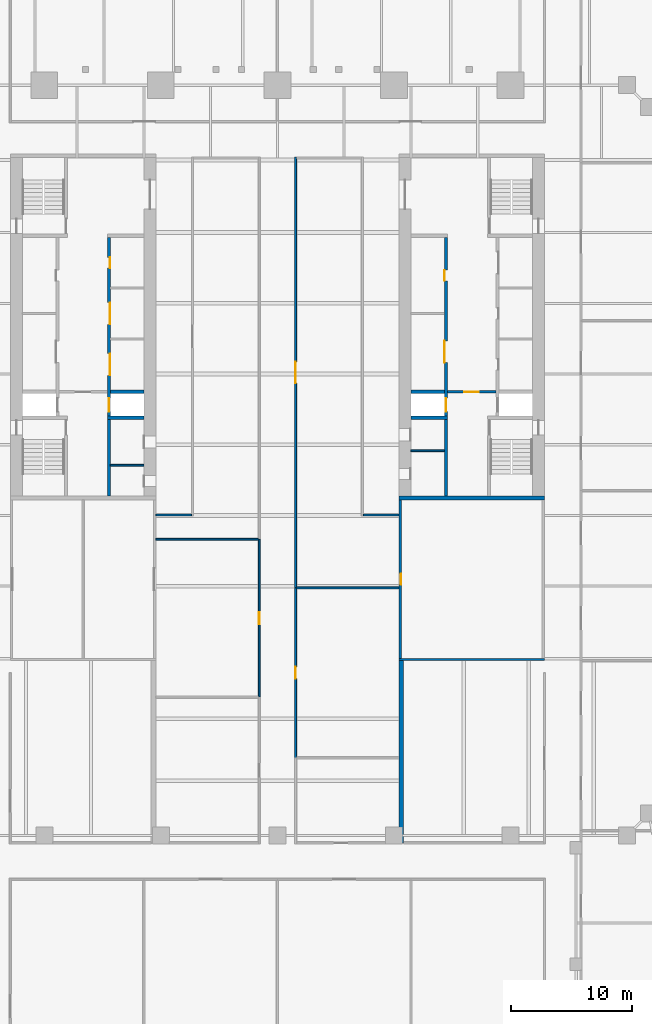
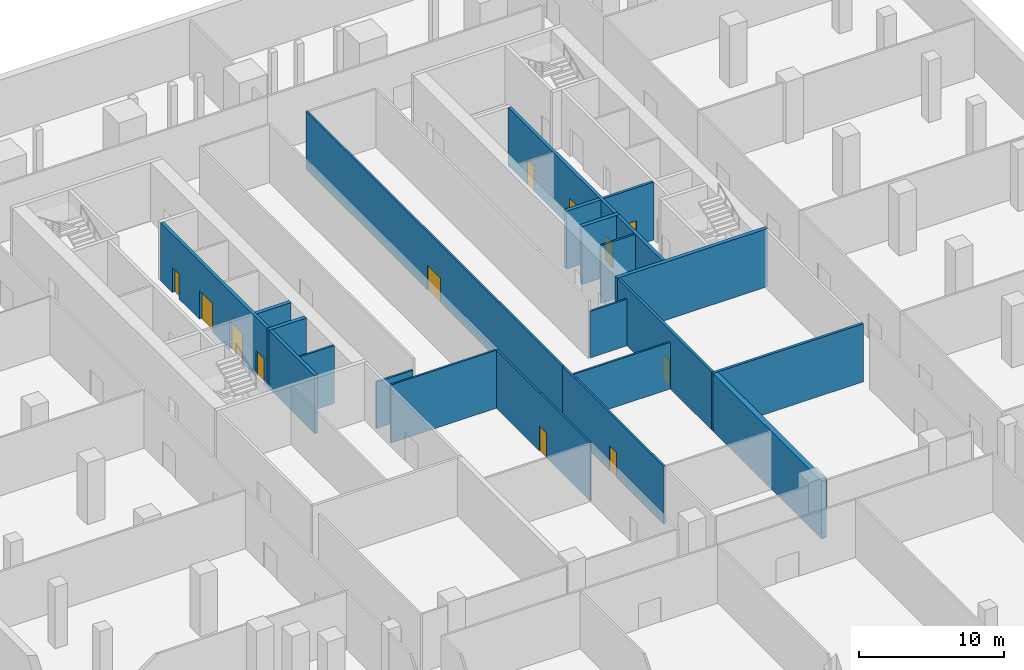
# One storey, part 9 of 15: 20 walls, 12 doors, 12 openings.
"""IFC4 building model written with IfcOpenShell, lengths in metres."""

from ifc_helpers import new_model, si_unit, direction, frame, frame_2d, origin, place, context, subcontext, project, spatial, rectangle, extrude, material, layer, layer_set, type_object, element, fill, save


model = new_model("IFC4")

# Units and contexts
model_context = context("Model", 3, precision=1e-05, world=origin(), true_north=direction((0.0, 1.0)))
body_context = subcontext(model_context, "Body", "Model", "MODEL_VIEW")
ifc_project = project(units=[si_unit("LENGTHUNIT", "METRE"), si_unit("AREAUNIT", "SQUARE_METRE"), si_unit("VOLUMEUNIT", "CUBIC_METRE"), si_unit("PLANEANGLEUNIT", "RADIAN"), si_unit("MASSUNIT", "GRAM", prefix="KILO")], contexts=[model_context])

# Site, building, storey
site_placement = place(None, origin())
site = spatial("IfcSite", under=ifc_project, at=site_placement, CompositionType="ELEMENT")
building_placement = place(site_placement, origin())
building = spatial("IfcBuilding", under=site, at=building_placement, Name="Ogive Exchange Tower", CompositionType="ELEMENT")
storey_placement = place(building_placement, frame((0.0, 0.0, -5.199951171875)))
storey = spatial("IfcBuildingStorey", under=building, at=storey_placement, Name="B1", CompositionType="ELEMENT", Elevation=-5.199951171875)

# Walls
ifc_material_1 = material(Name="Concrete C70/85", Category="concrete")
ifc_layer_1 = layer(ifc_material_1, 0.39990234375)
ifc_layer_set_1 = layer_set([ifc_layer_1], Name="Concrete C70/85 spine wall 400")
wall_type_1 = type_object("IfcWallType", Name="Concrete C70/85 spine wall 400", PredefinedType="SHEAR", material=ifc_layer_set_1)
wall_1_placement = place(storey_placement, frame((10.199951171875, -31.0, 0.0), z_axis=(0.0, 0.0, 1.0), x_axis=(0.0, 1.0, 0.0)))
element("IfcWall", 1, at=wall_1_placement, inside=storey, type_object=wall_type_1, Name="Spine wall SE", PredefinedType="SHEAR", context=body_context, shape_type="SweptSolid", body=[
    extrude(rectangle(XDim=15.0, YDim=0.39990234375, at=frame_2d((7.5, 0.0))), origin(), (0.0, 0.0, 1.0), 4.89990234375),
])
ifc_material_2 = material(Name="Gypsum board partition")
ifc_layer_2 = layer(ifc_material_2, 0.14990234375)
ifc_layer_set_2 = layer_set([ifc_layer_2], Name="Core room partition 150 gypsum")
wall_type_2 = type_object("IfcWallType", Name="Core room partition 150 gypsum", PredefinedType="PARTITIONING", material=ifc_layer_set_2)
for number, where, z_axis, x_axis, name in (
    (2, (-13.75, 0.10009765625, 0.0), (0.0, 0.0, 1.0), (1.0, 0.0, 0.0), "W south room partition"),
    (3, (11.0, 1.300048828125, 0.0), (0.0, 0.0, 1.0), (1.0, 0.0, 0.0), "E south room partition"),
):
    element("IfcWall", number, at=place(storey_placement, frame(where, z_axis=z_axis, x_axis=x_axis)), inside=storey, type_object=wall_type_2, Name=name, PredefinedType="PARTITIONING", context=body_context, shape_type="SweptSolid", body=[
        extrude(rectangle(XDim=2.75, YDim=0.14990234375, at=frame_2d((1.375, 0.0))), origin(), (0.0, 0.0, 1.0), 4.89990234375),
    ])
ifc_material_3 = material(Name="Fire partition EI 60 150")
ifc_layer_3 = layer(ifc_material_3, 0.14990234375)
ifc_layer_set_3 = layer_set([ifc_layer_3], Name="Fire partition EI 60 150")
wall_type_3 = type_object("IfcWallType", Name="Fire partition EI 60 150", PredefinedType="PARTITIONING", material=ifc_layer_set_3)
wall_2_placement = place(storey_placement, frame((1.574951171875, -10.0, 0.0), z_axis=(0.0, 0.0, 1.0), x_axis=(1.0, 0.0, 0.0)))
element("IfcWall", 4, at=wall_2_placement, inside=storey, type_object=wall_type_3, Name="B1-PWL-022", PredefinedType="PARTITIONING", context=body_context, shape_type="SweptSolid", body=[
    extrude(rectangle(XDim=8.425048828125, YDim=0.14990234375, at=frame_2d((4.21240234375, 0.0))), origin(), (0.0, 0.0, 1.0), 3.929931640625),
])
wall_3_placement = place(storey_placement, frame((-10.0, -6.0, 0.0), z_axis=(0.0, 0.0, 1.0), x_axis=(1.0, 0.0, 0.0)))
element("IfcWall", 5, at=wall_3_placement, inside=storey, type_object=wall_type_3, Name="B1-PWL-023", PredefinedType="PARTITIONING", context=body_context, shape_type="SweptSolid", body=[
    extrude(rectangle(XDim=8.425048828125, YDim=0.14990234375, at=frame_2d((4.21240234375, 0.0))), origin(), (0.0, 0.0, 1.0), 4.89990234375),
])
for number, where, z_axis, x_axis, name in (
    (6, (-10.0, -4.0, 0.0), (0.0, 0.0, 1.0), (1.0, 0.0, 0.0), "B1-PWL-024"),
    (7, (7.074951171875, -4.0, 0.0), (0.0, 0.0, 1.0), (1.0, 0.0, 0.0), "B1-PWL-025"),
):
    element("IfcWall", number, at=place(storey_placement, frame(where, z_axis=z_axis, x_axis=x_axis)), inside=storey, type_object=wall_type_3, Name=name, PredefinedType="PARTITIONING", context=body_context, shape_type="SweptSolid", body=[
        extrude(rectangle(XDim=2.925048828125, YDim=0.14990234375, at=frame_2d((1.46240234375, 0.0))), origin(), (0.0, 0.0, 1.0), 3.929931640625),
    ])

# Wall, opening, door
wall_4_placement = place(storey_placement, frame((-1.5, -19.0, 0.0), z_axis=(0.0, 0.0, 1.0), x_axis=(0.0, 1.0, 0.0)))
wall_4 = element("IfcWall", 8, at=wall_4_placement, inside=storey, type_object=wall_type_3, Name="B1-PWL-055", PredefinedType="PARTITIONING", context=body_context, shape_type="SweptSolid", body=[
    extrude(rectangle(XDim=13.0, YDim=0.14990234375, at=frame_2d((6.5, 0.0))), origin(), (0.0, 0.0, 1.0), 4.89990234375),
])
opening_1_placement = place(wall_4_placement, frame((6.0, 0.0, 0.0)))
opening_1 = element("IfcOpeningElement", 9, at=opening_1_placement, cuts=wall_4, Name="Opening B1-I22", PredefinedType="OPENING", context=body_context, shape_type="SweptSolid", body=[
    extrude(rectangle(XDim=1.0, YDim=2.10009765625, at=frame_2d((0.5, 1.050048828125))), frame((0.0, 0.0849609375, 0.0), z_axis=(0.0, -1.0, 0.0), x_axis=(1.0, 0.0, 0.0)), (0.0, 0.0, 1.0), 0.169921875),
])
ifc_material_4 = material(Name="Fire door FD 30S 1000 x 2100")
door_type_1 = type_object("IfcDoorType", Name="Fire door FD 30S 1000 x 2100", OperationType="NOTDEFINED", PredefinedType="DOOR", material=ifc_material_4)
door_1_placement = place(opening_1_placement, origin())
door_1 = element("IfcDoor", 10, at=door_1_placement, inside=storey, type_object=door_type_1, Name="B1-IDR-022", ObjectType="DT3", OperationType="SINGLE_SWING_LEFT", OverallHeight=2.10009765625, OverallWidth=1.0, PredefinedType="DOOR", context=body_context, shape_type="SweptSolid", body=[
    extrude(rectangle(XDim=1.0, YDim=2.10009765625, at=frame_2d((0.5, 1.050048828125))), frame((0.0, 0.02490234375, 0.0), z_axis=(0.0, -1.0, 0.0), x_axis=(1.0, 0.0, 0.0)), (0.0, 0.0, 1.0), 0.050048828125),
])
fill(opening_1, door_1)

wall_5_placement = place(storey_placement, frame((1.5, -24.0, 0.0), z_axis=(0.0, 0.0, 1.0), x_axis=(0.0, 1.0, 0.0)))
wall_5 = element("IfcWall", 11, at=wall_5_placement, inside=storey, type_object=wall_type_3, Name="B1-PWL-062", PredefinedType="PARTITIONING", context=body_context, shape_type="SweptSolid", body=[
    extrude(rectangle(XDim=14.0, YDim=0.14990234375, at=frame_2d((7.0, 0.0))), origin(), (0.0, 0.0, 1.0), 4.89990234375),
])
opening_2_placement = place(wall_5_placement, frame((6.5, 0.0, 0.0)))
opening_2 = element("IfcOpeningElement", 12, at=opening_2_placement, cuts=wall_5, Name="Opening B1-I25", PredefinedType="OPENING", context=body_context, shape_type="SweptSolid", body=[
    extrude(rectangle(XDim=1.0, YDim=2.10009765625, at=frame_2d((0.5, 1.050048828125))), frame((0.0, 0.0849609375, 0.0), z_axis=(0.0, -1.0, 0.0), x_axis=(1.0, 0.0, 0.0)), (0.0, 0.0, 1.0), 0.169921875),
])
door_2_placement = place(opening_2_placement, frame((1.0, 0.0, 0.0), z_axis=(0.0, 0.0, 1.0), x_axis=(-1.0, 0.0, 0.0)))
door_2 = element("IfcDoor", 13, at=door_2_placement, inside=storey, type_object=door_type_1, Name="B1-IDR-025", ObjectType="DT3", OperationType="SINGLE_SWING_LEFT", OverallHeight=2.10009765625, OverallWidth=1.0, PredefinedType="DOOR", context=body_context, shape_type="SweptSolid", body=[
    extrude(rectangle(XDim=1.0, YDim=2.10009765625, at=frame_2d((0.5, 1.050048828125))), frame((0.0, 0.02490234375, 0.0), z_axis=(0.0, -1.0, 0.0), x_axis=(1.0, 0.0, 0.0)), (0.0, 0.0, 1.0), 0.050048828125),
])
fill(opening_2, door_2)

wall_6_placement = place(storey_placement, frame((1.5, -10.0, 0.0), z_axis=(0.0, 0.0, 1.0), x_axis=(0.0, 1.0, 0.0)))
wall_6 = element("IfcWall", 14, at=wall_6_placement, inside=storey, type_object=wall_type_3, Name="B1-PWL-063", PredefinedType="PARTITIONING", context=body_context, shape_type="SweptSolid", body=[
    extrude(rectangle(XDim=35.47509765625, YDim=0.14990234375, at=frame_2d((17.737548828125, 0.0))), origin(), (0.0, 0.0, 1.0), 4.89990234375),
])
opening_3_placement = place(wall_6_placement, frame((16.83740234375, 0.0, 0.0)))
opening_3 = element("IfcOpeningElement", 15, at=opening_3_placement, cuts=wall_6, Name="Opening B1-I26", PredefinedType="OPENING", context=body_context, shape_type="SweptSolid", body=[
    extrude(rectangle(XDim=1.800048828125, YDim=2.10009765625, at=frame_2d((0.89990234375, 1.050048828125))), frame((0.0, 0.0849609375, 0.0), z_axis=(0.0, -1.0, 0.0), x_axis=(1.0, 0.0, 0.0)), (0.0, 0.0, 1.0), 0.169921875),
])
ifc_material_5 = material(Name="Fire door FD 30S 1800 x 2100")
door_type_2 = type_object("IfcDoorType", Name="Fire door FD 30S 1800 x 2100", OperationType="DOUBLE_DOOR_SINGLE_SWING", PredefinedType="DOOR", material=ifc_material_5)
door_3_placement = place(opening_3_placement, frame((1.800048828125, 0.0, 0.0), z_axis=(0.0, 0.0, 1.0), x_axis=(-1.0, 0.0, 0.0)))
door_3 = element("IfcDoor", 16, at=door_3_placement, inside=storey, type_object=door_type_2, Name="B1-IDR-026", ObjectType="DT4", OperationType="SINGLE_SWING_LEFT", OverallHeight=2.10009765625, OverallWidth=1.800048828125, PredefinedType="DOOR", context=body_context, shape_type="SweptSolid", body=[
    extrude(rectangle(XDim=1.800048828125, YDim=2.10009765625, at=frame_2d((0.89990234375, 1.050048828125))), frame((0.0, 0.02490234375, 0.0), z_axis=(0.0, -1.0, 0.0), x_axis=(1.0, 0.0, 0.0)), (0.0, 0.0, 1.0), 0.050048828125),
])
fill(opening_3, door_3)

ifc_layer_4 = layer(ifc_material_1, 0.199951171875)
ifc_layer_set_4 = layer_set([ifc_layer_4], Name="RC core wall 200 C70/85")
wall_type_4 = type_object("IfcWallType", Name="RC core wall 200 C70/85", PredefinedType="SHEAR", material=ifc_layer_set_4)
wall_7_placement = place(storey_placement, frame((14.0, 6.142822265625, 0.0), z_axis=(0.0, 0.0, 1.0), x_axis=(1.0, 0.0, 0.0)))
wall_7 = element("IfcWall", 17, at=wall_7_placement, inside=storey, type_object=wall_type_4, Name="E firefighting lobby wall", PredefinedType="SHEAR", context=body_context, shape_type="SweptSolid", body=[
    extrude(rectangle(XDim=4.0, YDim=0.199951171875, at=frame_2d((2.0, 0.0))), origin(), (0.0, 0.0, 1.0), 4.89990234375),
])
opening_4_placement = place(wall_7_placement, frame((1.39990234375, 0.0, 0.0)))
opening_4 = element("IfcOpeningElement", 18, at=opening_4_placement, cuts=wall_7, Name="Opening B1-C25", PredefinedType="OPENING", context=body_context, shape_type="SweptSolid", body=[
    extrude(rectangle(XDim=1.199951171875, YDim=2.10009765625, at=frame_2d((0.60009765625, 1.050048828125))), frame((0.0, 0.10986328125, 0.0), z_axis=(0.0, -1.0, 0.0), x_axis=(1.0, 0.0, 0.0)), (0.0, 0.0, 1.0), 0.219970703125),
])
ifc_material_6 = material(Name="Steel fire door", Category="steel")
door_type_3 = type_object("IfcDoorType", Name="Firefighting lobby door FD60 1200 x 2100", OperationType="NOTDEFINED", PredefinedType="DOOR", material=ifc_material_6)
door_4_placement = place(opening_4_placement, frame((1.199951171875, 0.0, 0.0), z_axis=(0.0, 0.0, 1.0), x_axis=(-1.0, 0.0, 0.0)))
door_4 = element("IfcDoor", 19, at=door_4_placement, inside=storey, type_object=door_type_3, Name="Firefighting lobby door", ObjectType="CD3", OperationType="SINGLE_SWING_LEFT", OverallHeight=2.10009765625, OverallWidth=1.199951171875, PredefinedType="DOOR", context=body_context, shape_type="SweptSolid", body=[
    extrude(rectangle(XDim=1.199951171875, YDim=2.10009765625, at=frame_2d((0.60009765625, 1.050048828125))), frame((0.0, 0.02490234375, 0.0), z_axis=(0.0, -1.0, 0.0), x_axis=(1.0, 0.0, 0.0)), (0.0, 0.0, 1.0), 0.050048828125),
])
fill(opening_4, door_4)

wall_8_placement = place(storey_placement, frame((10.10009765625, -15.800048828125, 0.0), z_axis=(0.0, 0.0, 1.0), x_axis=(0.0, 1.0, 0.0)))
wall_8 = element("IfcWall", 20, at=wall_8_placement, inside=storey, type_object=wall_type_4, Name="E annex S inner wall", PredefinedType="SHEAR", context=body_context, shape_type="SweptSolid", body=[
    extrude(rectangle(XDim=13.050048828125, YDim=0.199951171875, at=frame_2d((6.52490234375, 0.0))), origin(), (0.0, 0.0, 1.0), 4.89990234375),
])
opening_5_placement = place(wall_8_placement, frame((6.074951171875, 0.0, 0.0)))
opening_5 = element("IfcOpeningElement", 21, at=opening_5_placement, cuts=wall_8, Name="Opening B1-C33", PredefinedType="OPENING", context=body_context, shape_type="SweptSolid", body=[
    extrude(rectangle(XDim=0.89990234375, YDim=2.10009765625, at=frame_2d((0.449951171875, 1.050048828125))), frame((0.0, 0.10986328125, 0.0), z_axis=(0.0, -1.0, 0.0), x_axis=(1.0, 0.0, 0.0)), (0.0, 0.0, 1.0), 0.219970703125),
])
door_type_4 = type_object("IfcDoorType", Name="Riser door FD60 900 x 2100", OperationType="NOTDEFINED", PredefinedType="DOOR", material=ifc_material_6)
door_5_placement = place(opening_5_placement, frame((0.89990234375, -0.14990234375, 0.0), z_axis=(0.0, 0.0, 1.0), x_axis=(-1.0, 0.0, 0.0)))
door_5 = element("IfcDoor", 22, at=door_5_placement, inside=storey, type_object=door_type_4, Name="Riser door", ObjectType="CD2", OperationType="SINGLE_SWING_LEFT", OverallHeight=2.10009765625, OverallWidth=0.89990234375, PredefinedType="DOOR", context=body_context, shape_type="SweptSolid", body=[
    extrude(rectangle(XDim=0.89990234375, YDim=2.10009765625, at=frame_2d((0.449951171875, 1.050048828125))), frame((0.0, -0.0498046875, 0.0), z_axis=(0.0, -1.0, 0.0), x_axis=(1.0, 0.0, 0.0)), (0.0, 0.0, 1.0), 0.050048828125),
])
fill(opening_5, door_5)

# Wall
wall_9_placement = place(storey_placement, frame((10.0, -15.89990234375, 0.0), z_axis=(0.0, 0.0, 1.0), x_axis=(1.0, 0.0, 0.0)))
element("IfcWall", 23, at=wall_9_placement, inside=storey, type_object=wall_type_4, Name="E annex S end wall", PredefinedType="SHEAR", context=body_context, shape_type="SweptSolid", body=[
    extrude(rectangle(XDim=12.0, YDim=0.199951171875, at=frame_2d((6.0, 0.0))), origin(), (0.0, 0.0, 1.0), 4.89990234375),
])

# Wall, openings, doors
ifc_layer_5 = layer(ifc_material_1, 0.25)
ifc_layer_set_5 = layer_set([ifc_layer_5], Name="RC core wall 250 C70/85")
wall_type_5 = type_object("IfcWallType", Name="RC core wall 250 C70/85", PredefinedType="SHEAR", material=ifc_layer_set_5)
wall_10_placement = place(storey_placement, frame((-13.875, -2.449951171875, 0.0), z_axis=(0.0, 0.0, 1.0), x_axis=(0.0, 1.0, 0.0)))
wall_10 = element("IfcWall", 24, at=wall_10_placement, inside=storey, type_object=wall_type_5, Name="W row B front wall", PredefinedType="SHEAR", context=body_context, shape_type="SweptSolid", body=[
    extrude(rectangle(XDim=21.300048828125, YDim=0.25, at=frame_2d((10.64990234375, 0.0))), origin(), (0.0, 0.0, 1.0), 4.89990234375),
])
opening_6_placement = place(wall_10_placement, frame((9.9462890625, 0.0, 0.0)))
opening_6 = element("IfcOpeningElement", 25, at=opening_6_placement, cuts=wall_10, Name="Opening B1-C04", PredefinedType="OPENING", context=body_context, shape_type="SweptSolid", body=[
    extrude(rectangle(XDim=1.800048828125, YDim=2.39990234375, at=frame_2d((0.89990234375, 1.199951171875))), frame((0.0, 0.135009765625, 0.0), z_axis=(0.0, -1.0, 0.0), x_axis=(1.0, 0.0, 0.0)), (0.0, 0.0, 1.0), 0.27001953125),
])
opening_7_placement = place(wall_10_placement, frame((14.14990234375, 0.0, 0.0)))
opening_7 = element("IfcOpeningElement", 26, at=opening_7_placement, cuts=wall_10, Name="Opening B1-C05", PredefinedType="OPENING", context=body_context, shape_type="SweptSolid", body=[
    extrude(rectangle(XDim=1.800048828125, YDim=2.39990234375, at=frame_2d((0.89990234375, 1.199951171875))), frame((0.0, 0.135009765625, 0.0), z_axis=(0.0, -1.0, 0.0), x_axis=(1.0, 0.0, 0.0)), (0.0, 0.0, 1.0), 0.27001953125),
])
opening_8_placement = place(wall_10_placement, frame((18.77490234375, 0.0, 0.0)))
opening_8 = element("IfcOpeningElement", 27, at=opening_8_placement, cuts=wall_10, Name="Opening B1-C06", PredefinedType="OPENING", context=body_context, shape_type="SweptSolid", body=[
    extrude(rectangle(XDim=0.89990234375, YDim=2.10009765625, at=frame_2d((0.449951171875, 1.050048828125))), frame((0.0, 0.135009765625, 0.0), z_axis=(0.0, -1.0, 0.0), x_axis=(1.0, 0.0, 0.0)), (0.0, 0.0, 1.0), 0.27001953125),
])
opening_9_placement = place(wall_10_placement, frame((6.971435546875, 0.0, 0.0)))
opening_9 = element("IfcOpeningElement", 28, at=opening_9_placement, cuts=wall_10, Name="Opening B1-C07", PredefinedType="OPENING", context=body_context, shape_type="SweptSolid", body=[
    extrude(rectangle(XDim=1.10009765625, YDim=2.10009765625, at=frame_2d((0.550048828125, 1.050048828125))), frame((0.0, 0.135009765625, 0.0), z_axis=(0.0, -1.0, 0.0), x_axis=(1.0, 0.0, 0.0)), (0.0, 0.0, 1.0), 0.27001953125),
])
ifc_material_7 = material(Name="Stainless steel", Category="steel")
door_type_5 = type_object("IfcDoorType", Name="Lift landing door FD90 1100 x 2100", OperationType="SLIDING_TO_LEFT", PredefinedType="DOOR", material=ifc_material_7)
door_6_placement = place(opening_9_placement, origin())
door_6 = element("IfcDoor", 29, at=door_6_placement, inside=storey, type_object=door_type_5, Name="Lift landing door SV1", ObjectType="LD", OperationType="SLIDING_TO_LEFT", OverallHeight=2.10009765625, OverallWidth=1.10009765625, PredefinedType="DOOR", context=body_context, shape_type="SweptSolid", body=[
    extrude(rectangle(XDim=1.10009765625, YDim=2.10009765625, at=frame_2d((0.550048828125, 1.050048828125))), frame((0.0, 0.02490234375, 0.0), z_axis=(0.0, -1.0, 0.0), x_axis=(1.0, 0.0, 0.0)), (0.0, 0.0, 1.0), 0.050048828125),
])
fill(opening_9, door_6)
door_type_6 = type_object("IfcDoorType", Name="Plant room door FD60 1800 x 2400", OperationType="DOUBLE_DOOR_SINGLE_SWING", PredefinedType="DOOR", material=ifc_material_6)
door_7_placement = place(opening_6_placement, frame((1.800048828125, -0.2001953125, 0.0), z_axis=(0.0, 0.0, 1.0), x_axis=(-1.0, 0.0, 0.0)))
door_7 = element("IfcDoor", 30, at=door_7_placement, inside=storey, type_object=door_type_6, Name="Plant room door", ObjectType="CD1", OperationType="DOUBLE_DOOR_SINGLE_SWING", OverallHeight=2.39990234375, OverallWidth=1.800048828125, PredefinedType="DOOR", context=body_context, shape_type="SweptSolid", body=[
    extrude(rectangle(XDim=1.800048828125, YDim=2.39990234375, at=frame_2d((0.89990234375, 1.199951171875))), frame((0.0, -0.0751953125, 0.0), z_axis=(0.0, -1.0, 0.0), x_axis=(1.0, 0.0, 0.0)), (0.0, 0.0, 1.0), 0.050048828125),
])
fill(opening_6, door_7)
door_8_placement = place(opening_7_placement, frame((1.800048828125, -0.2001953125, 0.0), z_axis=(0.0, 0.0, 1.0), x_axis=(-1.0, 0.0, 0.0)))
door_8 = element("IfcDoor", 31, at=door_8_placement, inside=storey, type_object=door_type_6, Name="Plant room door", ObjectType="CD1", OperationType="DOUBLE_DOOR_SINGLE_SWING", OverallHeight=2.39990234375, OverallWidth=1.800048828125, PredefinedType="DOOR", context=body_context, shape_type="SweptSolid", body=[
    extrude(rectangle(XDim=1.800048828125, YDim=2.39990234375, at=frame_2d((0.89990234375, 1.199951171875))), frame((0.0, -0.0751953125, 0.0), z_axis=(0.0, -1.0, 0.0), x_axis=(1.0, 0.0, 0.0)), (0.0, 0.0, 1.0), 0.050048828125),
])
fill(opening_7, door_8)
door_9_placement = place(opening_8_placement, frame((0.89990234375, -0.2001953125, 0.0), z_axis=(0.0, 0.0, 1.0), x_axis=(-1.0, 0.0, 0.0)))
door_9 = element("IfcDoor", 32, at=door_9_placement, inside=storey, type_object=door_type_4, Name="Riser door", ObjectType="CD2", OperationType="SINGLE_SWING_LEFT", OverallHeight=2.10009765625, OverallWidth=0.89990234375, PredefinedType="DOOR", context=body_context, shape_type="SweptSolid", body=[
    extrude(rectangle(XDim=0.89990234375, YDim=2.10009765625, at=frame_2d((0.449951171875, 1.050048828125))), frame((0.0, -0.0751953125, 0.0), z_axis=(0.0, -1.0, 0.0), x_axis=(1.0, 0.0, 0.0)), (0.0, 0.0, 1.0), 0.050048828125),
])
fill(opening_8, door_9)

wall_11_placement = place(storey_placement, frame((13.875, -2.449951171875, 0.0), z_axis=(0.0, 0.0, 1.0), x_axis=(0.0, 1.0, 0.0)))
wall_11 = element("IfcWall", 33, at=wall_11_placement, inside=storey, type_object=wall_type_5, Name="E row B front wall", PredefinedType="SHEAR", context=body_context, shape_type="SweptSolid", body=[
    extrude(rectangle(XDim=21.300048828125, YDim=0.25, at=frame_2d((10.64990234375, 0.0))), origin(), (0.0, 0.0, 1.0), 4.89990234375),
])
opening_10_placement = place(wall_11_placement, frame((10.996337890625, 0.0, 0.0)))
opening_10 = element("IfcOpeningElement", 34, at=opening_10_placement, cuts=wall_11, Name="Opening B1-C22", PredefinedType="OPENING", context=body_context, shape_type="SweptSolid", body=[
    extrude(rectangle(XDim=1.800048828125, YDim=2.39990234375, at=frame_2d((0.89990234375, 1.199951171875))), frame((0.0, 0.135009765625, 0.0), z_axis=(0.0, -1.0, 0.0), x_axis=(1.0, 0.0, 0.0)), (0.0, 0.0, 1.0), 0.27001953125),
])
opening_11_placement = place(wall_11_placement, frame((17.72509765625, 0.0, 0.0)))
opening_11 = element("IfcOpeningElement", 35, at=opening_11_placement, cuts=wall_11, Name="Opening B1-C23", PredefinedType="OPENING", context=body_context, shape_type="SweptSolid", body=[
    extrude(rectangle(XDim=0.89990234375, YDim=2.10009765625, at=frame_2d((0.449951171875, 1.050048828125))), frame((0.0, 0.135009765625, 0.0), z_axis=(0.0, -1.0, 0.0), x_axis=(1.0, 0.0, 0.0)), (0.0, 0.0, 1.0), 0.27001953125),
])
opening_12_placement = place(wall_11_placement, frame((6.971435546875, 0.0, 0.0)))
opening_12 = element("IfcOpeningElement", 36, at=opening_12_placement, cuts=wall_11, Name="Opening B1-C24", PredefinedType="OPENING", context=body_context, shape_type="SweptSolid", body=[
    extrude(rectangle(XDim=1.10009765625, YDim=2.10009765625, at=frame_2d((0.550048828125, 1.050048828125))), frame((0.0, 0.135009765625, 0.0), z_axis=(0.0, -1.0, 0.0), x_axis=(1.0, 0.0, 0.0)), (0.0, 0.0, 1.0), 0.27001953125),
])
door_10_placement = place(opening_12_placement, origin())
door_10 = element("IfcDoor", 37, at=door_10_placement, inside=storey, type_object=door_type_5, Name="Lift landing door SV2", ObjectType="LD", OperationType="SLIDING_TO_LEFT", OverallHeight=2.10009765625, OverallWidth=1.10009765625, PredefinedType="DOOR", context=body_context, shape_type="SweptSolid", body=[
    extrude(rectangle(XDim=1.10009765625, YDim=2.10009765625, at=frame_2d((0.550048828125, 1.050048828125))), frame((0.0, 0.02490234375, 0.0), z_axis=(0.0, -1.0, 0.0), x_axis=(1.0, 0.0, 0.0)), (0.0, 0.0, 1.0), 0.050048828125),
])
fill(opening_12, door_10)
door_11_placement = place(opening_10_placement, origin())
door_11 = element("IfcDoor", 38, at=door_11_placement, inside=storey, type_object=door_type_6, Name="Plant room door", ObjectType="CD1", OperationType="DOUBLE_DOOR_SINGLE_SWING", OverallHeight=2.39990234375, OverallWidth=1.800048828125, PredefinedType="DOOR", context=body_context, shape_type="SweptSolid", body=[
    extrude(rectangle(XDim=1.800048828125, YDim=2.39990234375, at=frame_2d((0.89990234375, 1.199951171875))), frame((0.0, 0.125, 0.0), z_axis=(0.0, -1.0, 0.0), x_axis=(1.0, 0.0, 0.0)), (0.0, 0.0, 1.0), 0.050048828125),
])
fill(opening_10, door_11)
door_12_placement = place(opening_11_placement, origin())
door_12 = element("IfcDoor", 39, at=door_12_placement, inside=storey, type_object=door_type_4, Name="Riser door", ObjectType="CD2", OperationType="SINGLE_SWING_LEFT", OverallHeight=2.10009765625, OverallWidth=0.89990234375, PredefinedType="DOOR", context=body_context, shape_type="SweptSolid", body=[
    extrude(rectangle(XDim=0.89990234375, YDim=2.10009765625, at=frame_2d((0.449951171875, 1.050048828125))), frame((0.0, 0.125, 0.0), z_axis=(0.0, -1.0, 0.0), x_axis=(1.0, 0.0, 0.0)), (0.0, 0.0, 1.0), 0.050048828125),
])
fill(opening_11, door_12)

# Walls
ifc_layer_6 = layer(ifc_material_1, 0.300048828125)
ifc_layer_set_6 = layer_set([ifc_layer_6], Name="RC core wall 300 C70/85")
wall_type_6 = type_object("IfcWallType", Name="RC core wall 300 C70/85", PredefinedType="SHEAR", material=ifc_layer_set_6)
wall_12_placement = place(storey_placement, frame((-14.0, 4.0, 0.0), z_axis=(0.0, 0.0, 1.0), x_axis=(1.0, 0.0, 0.0)))
element("IfcWall", 40, at=wall_12_placement, inside=storey, type_object=wall_type_6, Name="W row B divider 0", PredefinedType="SHEAR", context=body_context, shape_type="SweptSolid", body=[
    extrude(rectangle(XDim=3.0, YDim=0.300048828125, at=frame_2d((1.5, 0.0))), origin(), (0.0, 0.0, 1.0), 4.89990234375),
])
wall_13_placement = place(storey_placement, frame((-13.75, 6.142822265625, 0.0), z_axis=(0.0, 0.0, 1.0), x_axis=(1.0, 0.0, 0.0)))
element("IfcWall", 41, at=wall_13_placement, inside=storey, type_object=wall_type_6, Name="W row B divider 1", PredefinedType="SHEAR", context=body_context, shape_type="SweptSolid", body=[
    extrude(rectangle(XDim=2.75, YDim=0.300048828125, at=frame_2d((1.375, 0.0))), origin(), (0.0, 0.0, 1.0), 4.89990234375),
])
wall_14_placement = place(storey_placement, frame((10.0, -2.60009765625, 0.0), z_axis=(0.0, 0.0, 1.0), x_axis=(1.0, 0.0, 0.0)))
element("IfcWall", 42, at=wall_14_placement, inside=storey, type_object=wall_type_6, Name="E south end wall", PredefinedType="SHEAR", context=body_context, shape_type="SweptSolid", body=[
    extrude(rectangle(XDim=12.0, YDim=0.300048828125, at=frame_2d((6.0, 0.0))), origin(), (0.0, 0.0, 1.0), 4.89990234375),
])
wall_15_placement = place(storey_placement, frame((11.0, 4.0, 0.0), z_axis=(0.0, 0.0, 1.0), x_axis=(1.0, 0.0, 0.0)))
element("IfcWall", 43, at=wall_15_placement, inside=storey, type_object=wall_type_6, Name="E row B divider 0", PredefinedType="SHEAR", context=body_context, shape_type="SweptSolid", body=[
    extrude(rectangle(XDim=3.0, YDim=0.300048828125, at=frame_2d((1.5, 0.0))), origin(), (0.0, 0.0, 1.0), 4.89990234375),
])
wall_16_placement = place(storey_placement, frame((11.0, 6.142822265625, 0.0), z_axis=(0.0, 0.0, 1.0), x_axis=(1.0, 0.0, 0.0)))
element("IfcWall", 44, at=wall_16_placement, inside=storey, type_object=wall_type_6, Name="E row B divider 1", PredefinedType="SHEAR", context=body_context, shape_type="SweptSolid", body=[
    extrude(rectangle(XDim=2.75, YDim=0.300048828125, at=frame_2d((1.375, 0.0))), origin(), (0.0, 0.0, 1.0), 4.89990234375),
])

save(model, "model.ifc")
